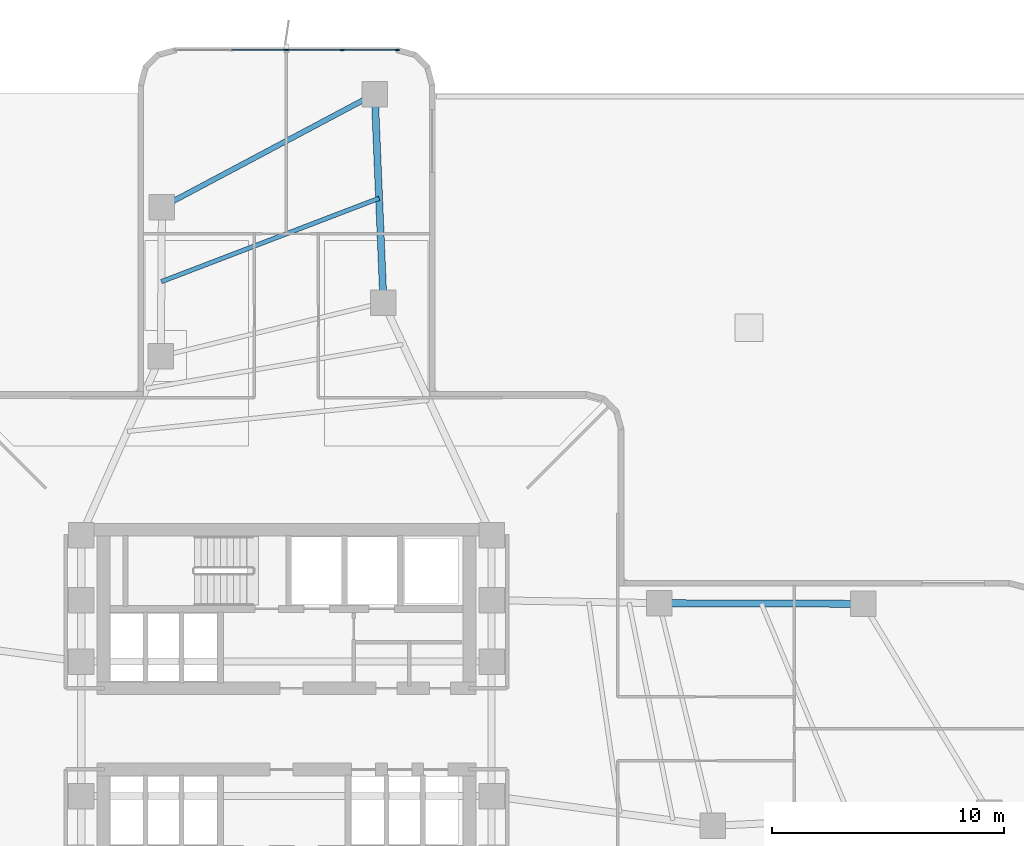
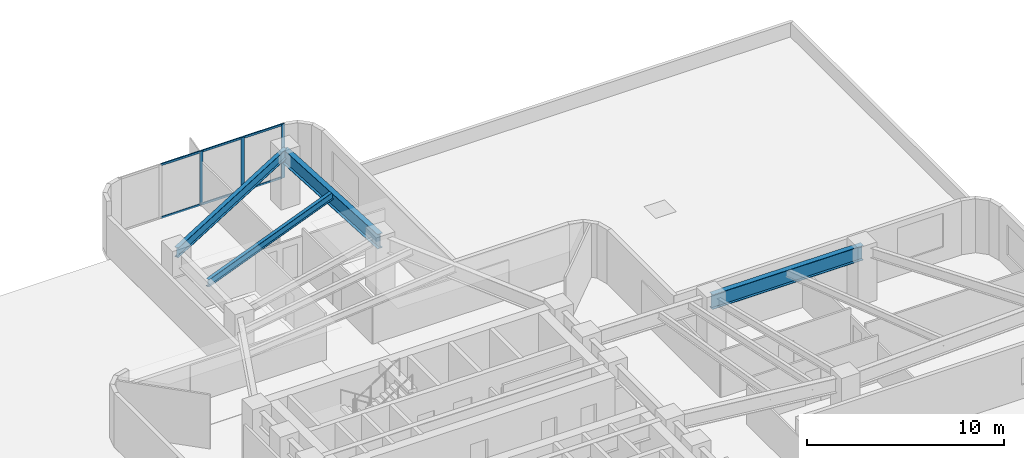
# One storey, part 6 of 14: 9 members, 4 beams, 1 element without a shape of its own.
"""IFC4 building model written with IfcOpenShell, lengths in metres."""

from ifc_helpers import new_model, si_unit, direction, frame, origin, origin_2d, place, context, subcontext, project, spatial, rectangle, i_section, extrude, material, layer, layer_set, material_profile, profile_set, type_object, element, aggregate, save


model = new_model("IFC4")

# Units and contexts
model_context = context("Model", 3, precision=1e-05, world=origin(), true_north=direction((0.0, 1.0)))
body_context = subcontext(model_context, "Body", "Model", "MODEL_VIEW")
ifc_project = project(units=[si_unit("LENGTHUNIT", "METRE"), si_unit("AREAUNIT", "SQUARE_METRE"), si_unit("VOLUMEUNIT", "CUBIC_METRE"), si_unit("PLANEANGLEUNIT", "RADIAN"), si_unit("MASSUNIT", "GRAM", prefix="KILO")], contexts=[model_context])

# Site, building, storey
site_placement = place(None, origin())
site = spatial("IfcSite", under=ifc_project, at=site_placement, CompositionType="ELEMENT")
building_placement = place(site_placement, origin())
building = spatial("IfcBuilding", under=site, at=building_placement, Name="Solmarez Civic Tower", CompositionType="ELEMENT")
storey_placement = place(building_placement, frame((0.0, 0.0, 24.47998046875)))
storey = spatial("IfcBuildingStorey", under=building, at=storey_placement, Name="L05", CompositionType="ELEMENT", Elevation=24.47998046875)

# Beams
ifc_material_1 = material(Name="Steel S355", Category="steel")
ifc_material_profile_1 = material_profile(ifc_material_1, i_section(OverallWidth=0.19189453125, OverallDepth=0.462890625, WebThickness=0.010498046875, FlangeThickness=0.017578125, at=origin_2d()), Name="W18X60")
ifc_profile_set_1 = profile_set([ifc_material_profile_1], Name="Steel S355")
beam_type_1 = type_object("IfcBeamType", Name="BM-JS-W18X60", PredefinedType="JOIST", material=ifc_profile_set_1)
beam_1_placement = place(storey_placement, frame((3.9951171875, 22.886962890625, 3.10791015625), z_axis=(-0.933878315551, -0.357590955903, 0.0), x_axis=(0.357590955903, -0.933878315551, 0.0)))
element("IfcBeam", 1, at=beam_1_placement, inside=storey, type_object=beam_type_1, Name="L05 Secondary Floor Joist JS-L05-NA-M2", PredefinedType="JOIST", context=body_context, shape_type="SweptSolid", body=[
    extrude(i_section(OverallWidth=0.19189453125, OverallDepth=0.462890625, WebThickness=0.010498046875, FlangeThickness=0.017578125, at=origin_2d()), origin(), (0.0, 0.0, 1.0), 10.05615234375),
])
ifc_material_profile_2 = material_profile(ifc_material_1, i_section(OverallWidth=0.303955078125, OverallDepth=0.910888671875, WebThickness=0.015869140625, FlangeThickness=0.02392578125, at=origin_2d()), Name="W36X150")
ifc_profile_set_2 = profile_set([ifc_material_profile_2], Name="Steel S355")
beam_type_2 = type_object("IfcBeamType", Name="BM-PR-W36X150", PredefinedType="BEAM", material=ifc_profile_set_2)
beam_2_placement = place(storey_placement, frame((16.075927734375, 5.4208984375, 2.884033203125), z_axis=(0.99999501223, -0.003158403928, 0.0), x_axis=(0.003158403928, 0.99999501223, 0.0)))
element("IfcBeam", 2, at=beam_2_placement, inside=storey, type_object=beam_type_2, Name="L05 Primary Floor Beam BM-L05-EA-R2B", PredefinedType="BEAM", context=body_context, shape_type="SweptSolid", body=[
    extrude(i_section(OverallWidth=0.303955078125, OverallDepth=0.910888671875, WebThickness=0.015869140625, FlangeThickness=0.02392578125, at=origin_2d()), origin(), (0.0, 0.0, 1.0), 8.81201171875),
])
beam_3_placement = place(storey_placement, frame((4.18408203125, 18.39111328125, 2.884033203125), z_axis=(-0.041911499832, 0.999121327058, 0.0), x_axis=(-0.999121327058, -0.041911499832, 0.0)))
element("IfcBeam", 3, at=beam_3_placement, inside=storey, type_object=beam_type_2, Name="L05 Primary Floor Beam BM-L05-NA-R2A", PredefinedType="BEAM", context=body_context, shape_type="SweptSolid", body=[
    extrude(i_section(OverallWidth=0.303955078125, OverallDepth=0.910888671875, WebThickness=0.015869140625, FlangeThickness=0.02392578125, at=origin_2d()), origin(), (0.0, 0.0, 1.0), 8.999755859375),
])
ifc_material_profile_3 = material_profile(ifc_material_1, i_section(OverallWidth=0.22900390625, OverallDepth=0.612060546875, WebThickness=0.011962890625, FlangeThickness=0.01953125, at=origin_2d()), Name="W24X84")
ifc_profile_set_3 = profile_set([ifc_material_profile_3], Name="Steel S355")
beam_type_3 = type_object("IfcBeamType", Name="BM-SP-W24X84", PredefinedType="SPANDREL", material=ifc_profile_set_3)
beam_4_placement = place(storey_placement, frame((3.806884765625, 27.383056640625, 3.033935546875), z_axis=(-0.883129404808, -0.469129464394, 0.0), x_axis=(0.469129464394, -0.883129404808, 0.0)))
element("IfcBeam", 4, at=beam_4_placement, inside=storey, type_object=beam_type_3, Name="L05 Perimeter Spandrel Beam BM-L05-NA-T2", PredefinedType="SPANDREL", context=body_context, shape_type="SweptSolid", body=[
    extrude(i_section(OverallWidth=0.22900390625, OverallDepth=0.612060546875, WebThickness=0.011962890625, FlangeThickness=0.01953125, at=origin_2d()), origin(), (0.0, 0.0, 1.0), 10.3935546875),
])

# Curtain wall, members
ifc_material_2 = material(Name="Bronze Anodised Aluminium EN AW-6063 T6", Category="aluminium")
ifc_layer = layer(ifc_material_2, 0.18505859375)
ifc_layer_set = layer_set([ifc_layer], Name="Bronze Anodised Aluminium EN AW-6063 T6")
curtain_wall_type = type_object("IfcCurtainWallType", Name="CW-SYS-2", PredefinedType="NOTDEFINED", material=ifc_layer_set)
curtain_wall_placement = place(storey_placement, origin())
curtain_wall = element("IfcCurtainWall", 5, at=curtain_wall_placement, inside=storey, type_object=curtain_wall_type, Name="L05 Stick-Built Curtain Wall 2", PredefinedType="NOTDEFINED")
ifc_material_profile_4 = material_profile(ifc_material_2, rectangle(XDim=0.070068359375, YDim=0.179931640625, at=origin_2d()), Name="CWM-70X180")
ifc_profile_set_4 = profile_set([ifc_material_profile_4], Name="Bronze Anodised Aluminium EN AW-6063 T6")
member_type_1 = type_object("IfcMemberType", Name="CWM-TYPE-2", PredefinedType="MULLION", material=ifc_profile_set_4)
member_1_placement = place(storey_placement, frame((0.0, 29.280029296875, 0.0), z_axis=(0.0, 0.0, 1.0), x_axis=(0.0, 1.0, 0.0)))
member_1 = element("IfcMember", 6, at=member_1_placement, type_object=member_type_1, Name="CWS2 mullion 3", PredefinedType="MULLION", context=body_context, shape_type="SweptSolid", body=[
    extrude(rectangle(XDim=0.070068359375, YDim=0.179931640625, at=origin_2d()), origin(), (0.0, 0.0, 1.0), 3.340087890625),
])
member_2_placement = place(storey_placement, frame((2.404541015625, 29.280029296875, 0.0), z_axis=(0.0, 0.0, 1.0), x_axis=(0.0, 1.0, 0.0)))
member_2 = element("IfcMember", 7, at=member_2_placement, type_object=member_type_1, Name="CWS2 mullion 4", PredefinedType="MULLION", context=body_context, shape_type="SweptSolid", body=[
    extrude(rectangle(XDim=0.070068359375, YDim=0.179931640625, at=origin_2d()), origin(), (0.0, 0.0, 1.0), 3.340087890625),
])
member_3_placement = place(storey_placement, frame((4.77392578125, 29.280029296875, 0.0), z_axis=(0.0, 0.0, 1.0), x_axis=(0.0, 1.0, 0.0)))
member_3 = element("IfcMember", 8, at=member_3_placement, type_object=member_type_1, Name="CWS2 mullion 5", PredefinedType="MULLION", context=body_context, shape_type="SweptSolid", body=[
    extrude(rectangle(XDim=0.070068359375, YDim=0.179931640625, at=origin_2d()), origin(), (0.0, 0.0, 1.0), 3.340087890625),
])
ifc_material_profile_5 = material_profile(ifc_material_2, rectangle(XDim=0.06494140625, YDim=0.125, at=origin_2d()), Name="CWT-65X125")
ifc_profile_set_5 = profile_set([ifc_material_profile_5], Name="Bronze Anodised Aluminium EN AW-6063 T6")
member_type_2 = type_object("IfcMemberType", Name="CWT-TYPE-2", PredefinedType="USERDEFINED", material=ifc_profile_set_5)
member_4_placement = place(storey_placement, frame((-2.369384765625, 29.280029296875, 0.032470703125), z_axis=(1.0, 0.0, 0.0), x_axis=(0.0, 1.0, 0.0)))
member_4 = element("IfcMember", 9, at=member_4_placement, type_object=member_type_2, Name="CWS2 transom 2.1", ObjectType="TRANSOM", PredefinedType="USERDEFINED", context=body_context, shape_type="SweptSolid", body=[
    extrude(rectangle(XDim=0.06494140625, YDim=0.125, at=origin_2d()), origin(), (0.0, 0.0, 1.0), 2.33447265625),
])
member_5_placement = place(storey_placement, frame((-2.369384765625, 29.280029296875, 3.3076171875), z_axis=(1.0, 0.0, 0.0), x_axis=(0.0, 1.0, 0.0)))
member_5 = element("IfcMember", 10, at=member_5_placement, type_object=member_type_2, Name="CWS2 transom 2.2", ObjectType="TRANSOM", PredefinedType="USERDEFINED", context=body_context, shape_type="SweptSolid", body=[
    extrude(rectangle(XDim=0.06494140625, YDim=0.125, at=origin_2d()), origin(), (0.0, 0.0, 1.0), 2.33447265625),
])
member_6_placement = place(storey_placement, frame((0.034912109375, 29.280029296875, 0.032470703125), z_axis=(1.0, 0.0, 0.0), x_axis=(0.0, 1.0, 0.0)))
member_6 = element("IfcMember", 11, at=member_6_placement, type_object=member_type_2, Name="CWS2 transom 3.1", ObjectType="TRANSOM", PredefinedType="USERDEFINED", context=body_context, shape_type="SweptSolid", body=[
    extrude(rectangle(XDim=0.06494140625, YDim=0.125, at=origin_2d()), origin(), (0.0, 0.0, 1.0), 2.33447265625),
])
member_7_placement = place(storey_placement, frame((0.034912109375, 29.280029296875, 3.3076171875), z_axis=(1.0, 0.0, 0.0), x_axis=(0.0, 1.0, 0.0)))
member_7 = element("IfcMember", 12, at=member_7_placement, type_object=member_type_2, Name="CWS2 transom 3.2", ObjectType="TRANSOM", PredefinedType="USERDEFINED", context=body_context, shape_type="SweptSolid", body=[
    extrude(rectangle(XDim=0.06494140625, YDim=0.125, at=origin_2d()), origin(), (0.0, 0.0, 1.0), 2.33447265625),
])
member_8_placement = place(storey_placement, frame((2.439453125, 29.280029296875, 0.032470703125), z_axis=(1.0, 0.0, 0.0), x_axis=(0.0, 1.0, 0.0)))
member_8 = element("IfcMember", 13, at=member_8_placement, type_object=member_type_2, Name="CWS2 transom 4.1", ObjectType="TRANSOM", PredefinedType="USERDEFINED", context=body_context, shape_type="SweptSolid", body=[
    extrude(rectangle(XDim=0.06494140625, YDim=0.125, at=origin_2d()), origin(), (0.0, 0.0, 1.0), 2.299560546875),
])
member_9_placement = place(storey_placement, frame((2.439453125, 29.280029296875, 3.3076171875), z_axis=(1.0, 0.0, 0.0), x_axis=(0.0, 1.0, 0.0)))
member_9 = element("IfcMember", 14, at=member_9_placement, type_object=member_type_2, Name="CWS2 transom 4.2", ObjectType="TRANSOM", PredefinedType="USERDEFINED", context=body_context, shape_type="SweptSolid", body=[
    extrude(rectangle(XDim=0.06494140625, YDim=0.125, at=origin_2d()), origin(), (0.0, 0.0, 1.0), 2.299560546875),
])
aggregate(curtain_wall, [member_1, member_2, member_3, member_4, member_5, member_6, member_7, member_8, member_9])

save(model, "model.ifc")
